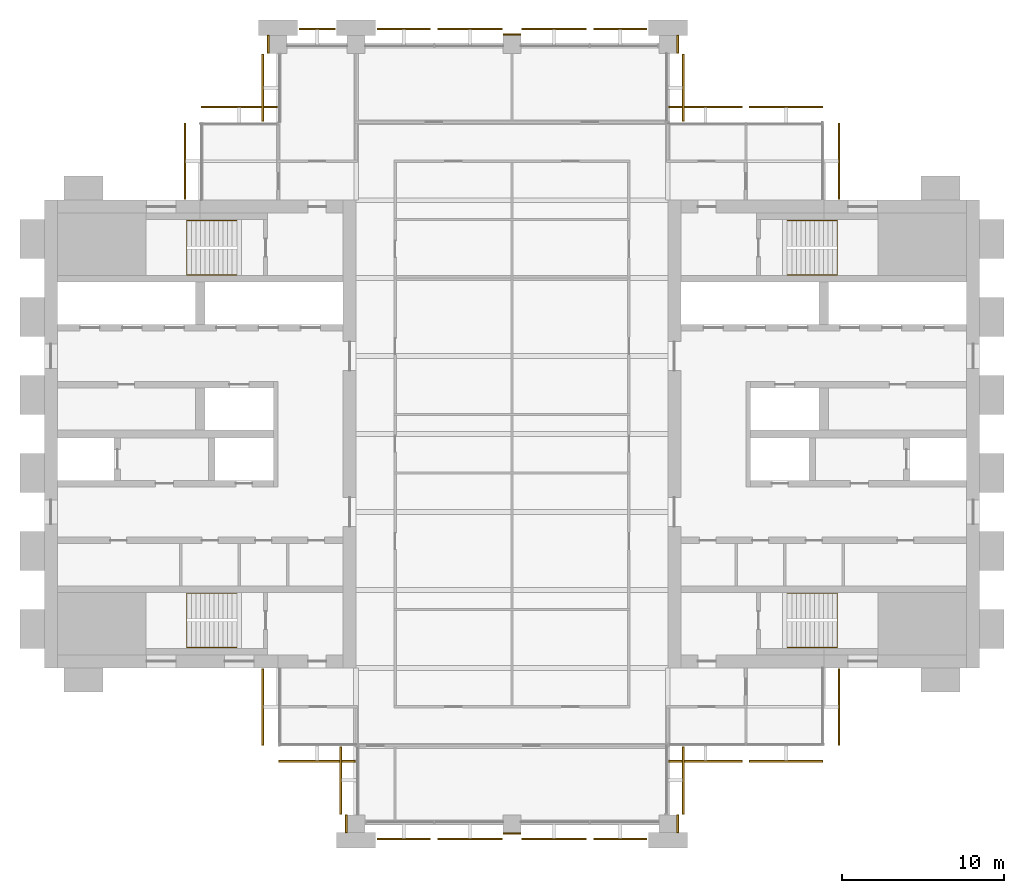
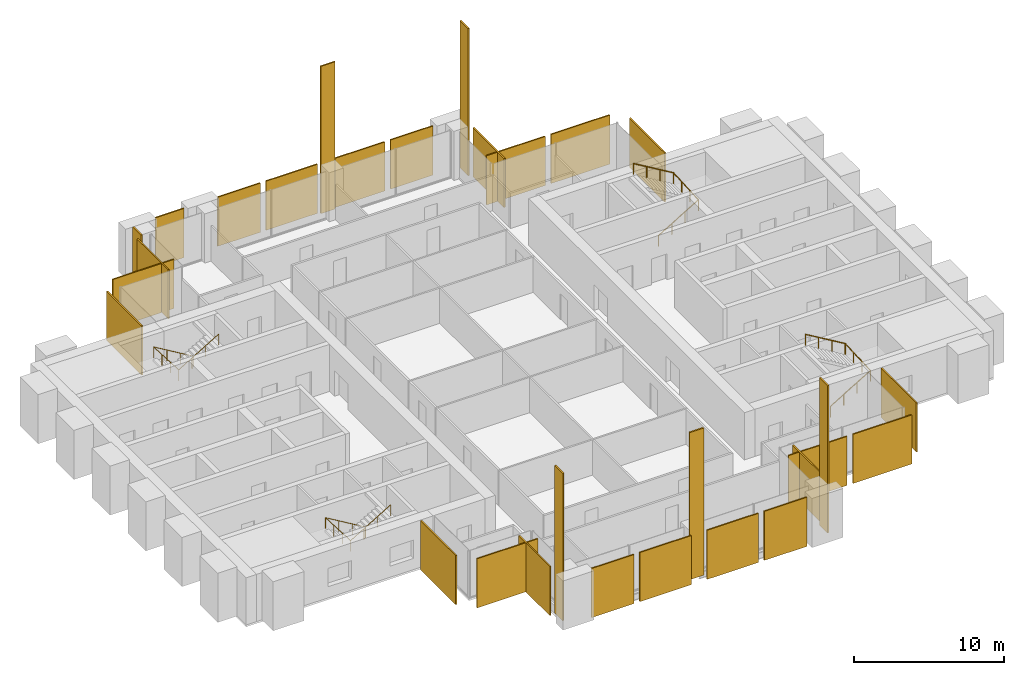
# One storey, part 13 of 13: 29 coverings, 4 railings.
"""IFC4 building model written with IfcOpenShell, lengths in metres."""

from ifc_helpers import new_model, si_unit, direction, frame, origin, origin_2d, place, context, subcontext, project, spatial, polyline, rectangle, circle, outline, extrude, material, layer, layer_set, type_object, element, save


model = new_model("IFC4")

# Units and contexts
model_context = context("Model", 3, precision=1e-05, world=origin(), true_north=direction((0.0, 1.0)))
body_context = subcontext(model_context, "Body", "Model", "MODEL_VIEW")
ifc_project = project(units=[si_unit("LENGTHUNIT", "METRE"), si_unit("AREAUNIT", "SQUARE_METRE"), si_unit("VOLUMEUNIT", "CUBIC_METRE"), si_unit("PLANEANGLEUNIT", "RADIAN"), si_unit("MASSUNIT", "GRAM", prefix="KILO")], contexts=[model_context])

# Site, building, storey
site_placement = place(None, origin())
site = spatial("IfcSite", under=ifc_project, at=site_placement, CompositionType="ELEMENT")
building_placement = place(site_placement, origin())
building = spatial("IfcBuilding", under=site, at=building_placement, Name="Baori Bourse Tower", CompositionType="ELEMENT")
storey_placement = place(building_placement, frame((0.0, 0.0, 225.199951171875)))
storey = spatial("IfcBuildingStorey", under=building, at=storey_placement, Name="L49", CompositionType="ELEMENT", Elevation=225.199951171875)

# Railings
ifc_material_1 = material(Name="Powder-coated steel balustrade", Category="steel")
railing_type = type_object("IfcRailingType", Name="Core stair handrail", PredefinedType="HANDRAIL", material=ifc_material_1)
railing_1_placement = place(storey_placement, frame((11.85009765625, 14.199951171875, 0.166748046875)))
element("IfcRailing", 1, at=railing_1_placement, inside=storey, type_object=railing_type, Name="L49 ST1 stair handrail 1", PredefinedType="HANDRAIL", context=body_context, shape_type="SweptSolid", body=[
    extrude(circle(Radius=0.02392578125, at=origin_2d()), frame((0.0, 0.0, 0.8759765625), z_axis=(-0.859308565015, 0.0, 0.511457515432), x_axis=(0.0, -1.0, 0.0)), (0.0, 0.0, 1.0), 3.58447265625),
    extrude(circle(Radius=0.02392578125, at=origin_2d()), frame((-3.080078125, 0.0, 2.708984375), z_axis=(0.0, -0.998763387249, 0.04971615724), x_axis=(1.0, 0.0, 0.0)), (0.0, 0.0, 1.0), 3.35400390625),
    extrude(circle(Radius=0.02392578125, at=origin_2d()), frame((-3.080078125, -3.349853515625, 2.8759765625), z_axis=(0.859308565015, 0.0, 0.511457515432), x_axis=(0.0, 1.0, 0.0)), (0.0, 0.0, 1.0), 3.58447265625),
    extrude(circle(Radius=0.02099609375, at=origin_2d()), origin(), (0.0, 0.0, 1.0), 0.851806640625),
    extrude(circle(Radius=0.02099609375, at=origin_2d()), frame((-1.026611328125, 0.0, 0.611083984375)), (0.0, 0.0, 1.0), 0.851806640625),
    extrude(circle(Radius=0.02099609375, at=origin_2d()), frame((-2.053466796875, 0.0, 1.22216796875)), (0.0, 0.0, 1.0), 0.851806640625),
    extrude(circle(Radius=0.02099609375, at=origin_2d()), frame((-3.080078125, 0.0, 1.833251953125)), (0.0, 0.0, 1.0), 0.851806640625),
    extrude(circle(Radius=0.02099609375, at=origin_2d()), frame((-3.080078125, -1.11669921875, 1.888916015625)), (0.0, 0.0, 1.0), 0.851806640625),
    extrude(circle(Radius=0.02099609375, at=origin_2d()), frame((-3.080078125, -2.233154296875, 1.9443359375)), (0.0, 0.0, 1.0), 0.851806640625),
    extrude(circle(Radius=0.02099609375, at=origin_2d()), frame((-3.080078125, -3.349853515625, 2.0)), (0.0, 0.0, 1.0), 0.851806640625),
    extrude(circle(Radius=0.02099609375, at=origin_2d()), frame((-2.053466796875, -3.349853515625, 2.611083984375)), (0.0, 0.0, 1.0), 0.851806640625),
    extrude(circle(Radius=0.02099609375, at=origin_2d()), frame((-1.026611328125, -3.349853515625, 3.22216796875)), (0.0, 0.0, 1.0), 0.851806640625),
    extrude(circle(Radius=0.02099609375, at=origin_2d()), frame((0.0, -3.349853515625, 3.833251953125)), (0.0, 0.0, 1.0), 0.851806640625),
])
railing_2_placement = place(storey_placement, frame((11.85009765625, 37.14990234375, 0.166748046875)))
element("IfcRailing", 2, at=railing_2_placement, inside=storey, type_object=railing_type, Name="L49 ST2 stair handrail 1", PredefinedType="HANDRAIL", context=body_context, shape_type="SweptSolid", body=[
    extrude(circle(Radius=0.02392578125, at=origin_2d()), frame((0.0, 0.0, 0.8759765625), z_axis=(-0.859308565015, 0.0, 0.511457515432), x_axis=(0.0, -1.0, 0.0)), (0.0, 0.0, 1.0), 3.58447265625),
    extrude(circle(Radius=0.02392578125, at=origin_2d()), frame((-3.080078125, 0.0, 2.708984375), z_axis=(0.0, -0.998763387249, 0.04971615724), x_axis=(1.0, 0.0, 0.0)), (0.0, 0.0, 1.0), 3.35400390625),
    extrude(circle(Radius=0.02392578125, at=origin_2d()), frame((-3.080078125, -3.349853515625, 2.8759765625), z_axis=(0.859308565015, 0.0, 0.511457515432), x_axis=(0.0, 1.0, 0.0)), (0.0, 0.0, 1.0), 3.58447265625),
    extrude(circle(Radius=0.02099609375, at=origin_2d()), origin(), (0.0, 0.0, 1.0), 0.851806640625),
    extrude(circle(Radius=0.02099609375, at=origin_2d()), frame((-1.026611328125, 0.0, 0.611083984375)), (0.0, 0.0, 1.0), 0.851806640625),
    extrude(circle(Radius=0.02099609375, at=origin_2d()), frame((-2.053466796875, 0.0, 1.22216796875)), (0.0, 0.0, 1.0), 0.851806640625),
    extrude(circle(Radius=0.02099609375, at=origin_2d()), frame((-3.080078125, 0.0, 1.833251953125)), (0.0, 0.0, 1.0), 0.851806640625),
    extrude(circle(Radius=0.02099609375, at=origin_2d()), frame((-3.080078125, -1.11669921875, 1.888916015625)), (0.0, 0.0, 1.0), 0.851806640625),
    extrude(circle(Radius=0.02099609375, at=origin_2d()), frame((-3.080078125, -2.233154296875, 1.9443359375)), (0.0, 0.0, 1.0), 0.851806640625),
    extrude(circle(Radius=0.02099609375, at=origin_2d()), frame((-3.080078125, -3.349853515625, 2.0)), (0.0, 0.0, 1.0), 0.851806640625),
    extrude(circle(Radius=0.02099609375, at=origin_2d()), frame((-2.053466796875, -3.349853515625, 2.611083984375)), (0.0, 0.0, 1.0), 0.851806640625),
    extrude(circle(Radius=0.02099609375, at=origin_2d()), frame((-1.026611328125, -3.349853515625, 3.22216796875)), (0.0, 0.0, 1.0), 0.851806640625),
    extrude(circle(Radius=0.02099609375, at=origin_2d()), frame((0.0, -3.349853515625, 3.833251953125)), (0.0, 0.0, 1.0), 0.851806640625),
])
railing_3_placement = place(storey_placement, frame((45.75, 10.85009765625, 0.166748046875)))
element("IfcRailing", 3, at=railing_3_placement, inside=storey, type_object=railing_type, Name="L49 ST3 stair handrail 1", PredefinedType="HANDRAIL", context=body_context, shape_type="SweptSolid", body=[
    extrude(circle(Radius=0.02392578125, at=origin_2d()), frame((0.0, 0.0, 0.8759765625), z_axis=(0.859308565015, 0.0, 0.511457515432), x_axis=(0.0, 1.0, 0.0)), (0.0, 0.0, 1.0), 3.58447265625),
    extrude(circle(Radius=0.02392578125, at=origin_2d()), frame((3.080078125, 0.0, 2.708984375), z_axis=(0.0, 0.998763387249, 0.04971615724), x_axis=(-1.0, 0.0, 0.0)), (0.0, 0.0, 1.0), 3.35400390625),
    extrude(circle(Radius=0.02392578125, at=origin_2d()), frame((3.080078125, 3.349853515625, 2.8759765625), z_axis=(-0.859308565015, 0.0, 0.511457515432), x_axis=(0.0, -1.0, 0.0)), (0.0, 0.0, 1.0), 3.58447265625),
    extrude(circle(Radius=0.02099609375, at=origin_2d()), origin(), (0.0, 0.0, 1.0), 0.851806640625),
    extrude(circle(Radius=0.02099609375, at=origin_2d()), frame((1.026611328125, 0.0, 0.611083984375)), (0.0, 0.0, 1.0), 0.851806640625),
    extrude(circle(Radius=0.02099609375, at=origin_2d()), frame((2.053466796875, 0.0, 1.22216796875)), (0.0, 0.0, 1.0), 0.851806640625),
    extrude(circle(Radius=0.02099609375, at=origin_2d()), frame((3.080078125, 0.0, 1.833251953125)), (0.0, 0.0, 1.0), 0.851806640625),
    extrude(circle(Radius=0.02099609375, at=origin_2d()), frame((3.080078125, 1.11669921875, 1.888916015625)), (0.0, 0.0, 1.0), 0.851806640625),
    extrude(circle(Radius=0.02099609375, at=origin_2d()), frame((3.080078125, 2.233154296875, 1.9443359375)), (0.0, 0.0, 1.0), 0.851806640625),
    extrude(circle(Radius=0.02099609375, at=origin_2d()), frame((3.080078125, 3.349853515625, 2.0)), (0.0, 0.0, 1.0), 0.851806640625),
    extrude(circle(Radius=0.02099609375, at=origin_2d()), frame((2.053466796875, 3.349853515625, 2.611083984375)), (0.0, 0.0, 1.0), 0.851806640625),
    extrude(circle(Radius=0.02099609375, at=origin_2d()), frame((1.026611328125, 3.349853515625, 3.22216796875)), (0.0, 0.0, 1.0), 0.851806640625),
    extrude(circle(Radius=0.02099609375, at=origin_2d()), frame((0.0, 3.349853515625, 3.833251953125)), (0.0, 0.0, 1.0), 0.851806640625),
])
railing_4_placement = place(storey_placement, frame((45.75, 33.800048828125, 0.166748046875)))
element("IfcRailing", 4, at=railing_4_placement, inside=storey, type_object=railing_type, Name="L49 ST4 stair handrail 1", PredefinedType="HANDRAIL", context=body_context, shape_type="SweptSolid", body=[
    extrude(circle(Radius=0.02392578125, at=origin_2d()), frame((0.0, 0.0, 0.8759765625), z_axis=(0.859308565015, 0.0, 0.511457515432), x_axis=(0.0, 1.0, 0.0)), (0.0, 0.0, 1.0), 3.58447265625),
    extrude(circle(Radius=0.02392578125, at=origin_2d()), frame((3.080078125, 0.0, 2.708984375), z_axis=(0.0, 0.998763387249, 0.04971615724), x_axis=(-1.0, 0.0, 0.0)), (0.0, 0.0, 1.0), 3.35400390625),
    extrude(circle(Radius=0.02392578125, at=origin_2d()), frame((3.080078125, 3.349853515625, 2.8759765625), z_axis=(-0.859308565015, 0.0, 0.511457515432), x_axis=(0.0, -1.0, 0.0)), (0.0, 0.0, 1.0), 3.58447265625),
    extrude(circle(Radius=0.02099609375, at=origin_2d()), origin(), (0.0, 0.0, 1.0), 0.851806640625),
    extrude(circle(Radius=0.02099609375, at=origin_2d()), frame((1.026611328125, 0.0, 0.611083984375)), (0.0, 0.0, 1.0), 0.851806640625),
    extrude(circle(Radius=0.02099609375, at=origin_2d()), frame((2.053466796875, 0.0, 1.22216796875)), (0.0, 0.0, 1.0), 0.851806640625),
    extrude(circle(Radius=0.02099609375, at=origin_2d()), frame((3.080078125, 0.0, 1.833251953125)), (0.0, 0.0, 1.0), 0.851806640625),
    extrude(circle(Radius=0.02099609375, at=origin_2d()), frame((3.080078125, 1.11669921875, 1.888916015625)), (0.0, 0.0, 1.0), 0.851806640625),
    extrude(circle(Radius=0.02099609375, at=origin_2d()), frame((3.080078125, 2.233154296875, 1.9443359375)), (0.0, 0.0, 1.0), 0.851806640625),
    extrude(circle(Radius=0.02099609375, at=origin_2d()), frame((3.080078125, 3.349853515625, 2.0)), (0.0, 0.0, 1.0), 0.851806640625),
    extrude(circle(Radius=0.02099609375, at=origin_2d()), frame((2.053466796875, 3.349853515625, 2.611083984375)), (0.0, 0.0, 1.0), 0.851806640625),
    extrude(circle(Radius=0.02099609375, at=origin_2d()), frame((1.026611328125, 3.349853515625, 3.22216796875)), (0.0, 0.0, 1.0), 0.851806640625),
    extrude(circle(Radius=0.02099609375, at=origin_2d()), frame((0.0, 3.349853515625, 3.833251953125)), (0.0, 0.0, 1.0), 0.851806640625),
])

# Coverings
ifc_material_2 = material(Name="Pale anodised aluminium", Category="aluminium")
ifc_layer_1 = layer(ifc_material_2, 0.10009765625)
ifc_layer_set_1 = layer_set([ifc_layer_1], Name="OS3 Outer skin screen panel")
covering_type_1 = type_object("IfcCoveringType", Name="OS3 Outer skin screen panel", PredefinedType="CLADDING", material=ifc_layer_set_1)
covering_1_placement = place(storey_placement, frame((0.0, 0.0, -0.159912109375)))
element("IfcCovering", 5, at=covering_1_placement, inside=storey, type_object=covering_type_1, Name="Outer skin screen L49 1", PredefinedType="CLADDING", context=body_context, shape_type="SweptSolid", body=[
    extrude(outline(polyline([(48.89990234375, 43.14990234375), (48.89990234375, 38.449951171875), (49.0, 38.449951171875), (49.0, 43.14990234375), (48.89990234375, 43.14990234375)])), origin(), (0.0, 0.0, 1.0), 4.0),
])
covering_2_placement = place(storey_placement, frame((0.0, 0.0, -0.159912109375)))
element("IfcCovering", 6, at=covering_2_placement, inside=storey, type_object=covering_type_1, Name="Outer skin screen L49 2", PredefinedType="CLADDING", context=body_context, shape_type="SweptSolid", body=[
    extrude(outline(polyline([(43.425048828125, 44.10009765625), (47.949951171875, 44.10009765625), (47.949951171875, 44.199951171875), (43.425048828125, 44.199951171875), (43.425048828125, 44.10009765625)])), origin(), (0.0, 0.0, 1.0), 4.0),
])
covering_3_placement = place(storey_placement, frame((0.0, 0.0, -0.159912109375)))
element("IfcCovering", 7, at=covering_3_placement, inside=storey, type_object=covering_type_1, Name="Outer skin screen L49 3", PredefinedType="CLADDING", context=body_context, shape_type="SweptSolid", body=[
    extrude(outline(polyline([(38.449951171875, 44.10009765625), (42.97509765625, 44.10009765625), (42.97509765625, 44.199951171875), (38.449951171875, 44.199951171875), (38.449951171875, 44.10009765625)])), origin(), (0.0, 0.0, 1.0), 4.0),
])
covering_4_placement = place(storey_placement, frame((0.0, 0.0, -0.159912109375)))
element("IfcCovering", 8, at=covering_4_placement, inside=storey, type_object=covering_type_1, Name="Outer skin screen L49 4", PredefinedType="CLADDING", context=body_context, shape_type="SweptSolid", body=[
    extrude(outline(polyline([(39.300048828125, 47.39990234375), (39.300048828125, 43.25), (39.39990234375, 43.25), (39.39990234375, 47.39990234375), (39.300048828125, 47.39990234375)])), origin(), (0.0, 0.0, 1.0), 4.0),
])
covering_5_placement = place(storey_placement, frame((0.0, 0.0, -0.159912109375)))
element("IfcCovering", 9, at=covering_5_placement, inside=storey, type_object=covering_type_1, Name="Outer skin screen L49 5", PredefinedType="CLADDING", context=body_context, shape_type="SweptSolid", body=[
    extrude(outline(polyline([(33.824951171875, 48.89990234375), (37.10009765625, 48.89990234375), (37.10009765625, 49.0), (33.824951171875, 49.0), (33.824951171875, 48.89990234375)])), origin(), (0.0, 0.0, 1.0), 4.0),
])
covering_6_placement = place(storey_placement, frame((0.0, 0.0, -0.159912109375)))
element("IfcCovering", 10, at=covering_6_placement, inside=storey, type_object=covering_type_1, Name="Outer skin screen L49 6", PredefinedType="CLADDING", context=body_context, shape_type="SweptSolid", body=[
    extrude(outline(polyline([(29.39990234375, 48.89990234375), (33.375, 48.89990234375), (33.375, 49.0), (29.39990234375, 49.0), (29.39990234375, 48.89990234375)])), origin(), (0.0, 0.0, 1.0), 4.0),
])
covering_7_placement = place(storey_placement, frame((0.0, 0.0, -0.159912109375)))
element("IfcCovering", 11, at=covering_7_placement, inside=storey, type_object=covering_type_1, Name="Outer skin screen L49 7", PredefinedType="CLADDING", context=body_context, shape_type="SweptSolid", body=[
    extrude(outline(polyline([(24.22509765625, 48.89990234375), (28.199951171875, 48.89990234375), (28.199951171875, 49.0), (24.22509765625, 49.0), (24.22509765625, 48.89990234375)])), origin(), (0.0, 0.0, 1.0), 4.0),
])
covering_8_placement = place(storey_placement, frame((0.0, 0.0, -0.159912109375)))
element("IfcCovering", 12, at=covering_8_placement, inside=storey, type_object=covering_type_1, Name="Outer skin screen L49 8", PredefinedType="CLADDING", context=body_context, shape_type="SweptSolid", body=[
    extrude(outline(polyline([(20.5, 48.89990234375), (23.77490234375, 48.89990234375), (23.77490234375, 49.0), (20.5, 49.0), (20.5, 48.89990234375)])), origin(), (0.0, 0.0, 1.0), 4.0),
])
covering_9_placement = place(storey_placement, frame((0.0, 0.0, -0.159912109375)))
element("IfcCovering", 13, at=covering_9_placement, inside=storey, type_object=covering_type_1, Name="Outer skin screen L49 9", PredefinedType="CLADDING", context=body_context, shape_type="SweptSolid", body=[
    extrude(outline(polyline([(15.699951171875, 48.89990234375), (17.89990234375, 48.89990234375), (17.89990234375, 49.0), (15.699951171875, 49.0), (15.699951171875, 48.89990234375)])), origin(), (0.0, 0.0, 1.0), 4.0),
])
covering_10_placement = place(storey_placement, frame((0.0, 0.0, -0.159912109375)))
element("IfcCovering", 14, at=covering_10_placement, inside=storey, type_object=covering_type_1, Name="Outer skin screen L49 10", PredefinedType="CLADDING", context=body_context, shape_type="SweptSolid", body=[
    extrude(outline(polyline([(13.5, 43.25), (13.5, 47.39990234375), (13.39990234375, 47.39990234375), (13.39990234375, 43.25), (13.5, 43.25)])), origin(), (0.0, 0.0, 1.0), 4.0),
])
covering_11_placement = place(storey_placement, frame((0.0, 0.0, -0.159912109375)))
element("IfcCovering", 15, at=covering_11_placement, inside=storey, type_object=covering_type_1, Name="Outer skin screen L49 11", PredefinedType="CLADDING", context=body_context, shape_type="SweptSolid", body=[
    extrude(outline(polyline([(9.64990234375, 44.10009765625), (14.35009765625, 44.10009765625), (14.35009765625, 44.199951171875), (9.64990234375, 44.199951171875), (9.64990234375, 44.10009765625)])), origin(), (0.0, 0.0, 1.0), 4.0),
])
covering_12_placement = place(storey_placement, frame((0.0, 0.0, -0.159912109375)))
element("IfcCovering", 16, at=covering_12_placement, inside=storey, type_object=covering_type_1, Name="Outer skin screen L49 12", PredefinedType="CLADDING", context=body_context, shape_type="SweptSolid", body=[
    extrude(outline(polyline([(8.699951171875, 38.449951171875), (8.699951171875, 43.14990234375), (8.60009765625, 43.14990234375), (8.60009765625, 38.449951171875), (8.699951171875, 38.449951171875)])), origin(), (0.0, 0.0, 1.0), 4.0),
])
covering_13_placement = place(storey_placement, frame((0.0, 0.0, -0.159912109375)))
element("IfcCovering", 17, at=covering_13_placement, inside=storey, type_object=covering_type_1, Name="Outer skin screen L49 13", PredefinedType="CLADDING", context=body_context, shape_type="SweptSolid", body=[
    extrude(outline(polyline([(13.5, 4.85009765625), (13.5, 9.550048828125), (13.39990234375, 9.550048828125), (13.39990234375, 4.85009765625), (13.5, 4.85009765625)])), origin(), (0.0, 0.0, 1.0), 4.0),
])
covering_14_placement = place(storey_placement, frame((0.0, 0.0, -0.159912109375)))
element("IfcCovering", 18, at=covering_14_placement, inside=storey, type_object=covering_type_1, Name="Outer skin screen L49 14", PredefinedType="CLADDING", context=body_context, shape_type="SweptSolid", body=[
    extrude(outline(polyline([(19.14990234375, 3.89990234375), (14.449951171875, 3.89990234375), (14.449951171875, 3.800048828125), (19.14990234375, 3.800048828125), (19.14990234375, 3.89990234375)])), origin(), (0.0, 0.0, 1.0), 4.0),
])
covering_15_placement = place(storey_placement, frame((0.0, 0.0, -0.159912109375)))
element("IfcCovering", 19, at=covering_15_placement, inside=storey, type_object=covering_type_1, Name="Outer skin screen L49 15", PredefinedType="CLADDING", context=body_context, shape_type="SweptSolid", body=[
    extrude(outline(polyline([(18.300048828125, 0.60009765625), (18.300048828125, 4.75), (18.199951171875, 4.75), (18.199951171875, 0.60009765625), (18.300048828125, 0.60009765625)])), origin(), (0.0, 0.0, 1.0), 4.0),
])
covering_16_placement = place(storey_placement, frame((0.0, 0.0, -0.159912109375)))
element("IfcCovering", 20, at=covering_16_placement, inside=storey, type_object=covering_type_1, Name="Outer skin screen L49 16", PredefinedType="CLADDING", context=body_context, shape_type="SweptSolid", body=[
    extrude(outline(polyline([(23.77490234375, -0.89990234375), (20.5, -0.89990234375), (20.5, -1.0), (23.77490234375, -1.0), (23.77490234375, -0.89990234375)])), origin(), (0.0, 0.0, 1.0), 4.0),
])
covering_17_placement = place(storey_placement, frame((0.0, 0.0, -0.159912109375)))
element("IfcCovering", 21, at=covering_17_placement, inside=storey, type_object=covering_type_1, Name="Outer skin screen L49 17", PredefinedType="CLADDING", context=body_context, shape_type="SweptSolid", body=[
    extrude(outline(polyline([(28.199951171875, -0.89990234375), (24.22509765625, -0.89990234375), (24.22509765625, -1.0), (28.199951171875, -1.0), (28.199951171875, -0.89990234375)])), origin(), (0.0, 0.0, 1.0), 4.0),
])
covering_18_placement = place(storey_placement, frame((0.0, 0.0, -0.159912109375)))
element("IfcCovering", 22, at=covering_18_placement, inside=storey, type_object=covering_type_1, Name="Outer skin screen L49 18", PredefinedType="CLADDING", context=body_context, shape_type="SweptSolid", body=[
    extrude(outline(polyline([(33.375, -0.89990234375), (29.39990234375, -0.89990234375), (29.39990234375, -1.0), (33.375, -1.0), (33.375, -0.89990234375)])), origin(), (0.0, 0.0, 1.0), 4.0),
])
covering_19_placement = place(storey_placement, frame((0.0, 0.0, -0.159912109375)))
element("IfcCovering", 23, at=covering_19_placement, inside=storey, type_object=covering_type_1, Name="Outer skin screen L49 19", PredefinedType="CLADDING", context=body_context, shape_type="SweptSolid", body=[
    extrude(outline(polyline([(37.10009765625, -0.89990234375), (33.824951171875, -0.89990234375), (33.824951171875, -1.0), (37.10009765625, -1.0), (37.10009765625, -0.89990234375)])), origin(), (0.0, 0.0, 1.0), 4.0),
])
covering_20_placement = place(storey_placement, frame((0.0, 0.0, -0.159912109375)))
element("IfcCovering", 24, at=covering_20_placement, inside=storey, type_object=covering_type_1, Name="Outer skin screen L49 20", PredefinedType="CLADDING", context=body_context, shape_type="SweptSolid", body=[
    extrude(outline(polyline([(39.300048828125, 4.75), (39.300048828125, 0.60009765625), (39.39990234375, 0.60009765625), (39.39990234375, 4.75), (39.300048828125, 4.75)])), origin(), (0.0, 0.0, 1.0), 4.0),
])
covering_21_placement = place(storey_placement, frame((0.0, 0.0, -0.159912109375)))
element("IfcCovering", 25, at=covering_21_placement, inside=storey, type_object=covering_type_1, Name="Outer skin screen L49 21", PredefinedType="CLADDING", context=body_context, shape_type="SweptSolid", body=[
    extrude(outline(polyline([(42.97509765625, 3.89990234375), (38.449951171875, 3.89990234375), (38.449951171875, 3.800048828125), (42.97509765625, 3.800048828125), (42.97509765625, 3.89990234375)])), origin(), (0.0, 0.0, 1.0), 4.0),
])
covering_22_placement = place(storey_placement, frame((0.0, 0.0, -0.159912109375)))
element("IfcCovering", 26, at=covering_22_placement, inside=storey, type_object=covering_type_1, Name="Outer skin screen L49 22", PredefinedType="CLADDING", context=body_context, shape_type="SweptSolid", body=[
    extrude(outline(polyline([(47.949951171875, 3.89990234375), (43.425048828125, 3.89990234375), (43.425048828125, 3.800048828125), (47.949951171875, 3.800048828125), (47.949951171875, 3.89990234375)])), origin(), (0.0, 0.0, 1.0), 4.0),
])
covering_23_placement = place(storey_placement, frame((0.0, 0.0, -0.159912109375)))
element("IfcCovering", 27, at=covering_23_placement, inside=storey, type_object=covering_type_1, Name="Outer skin screen L49 23", PredefinedType="CLADDING", context=body_context, shape_type="SweptSolid", body=[
    extrude(outline(polyline([(48.89990234375, 9.550048828125), (48.89990234375, 4.85009765625), (49.0, 4.85009765625), (49.0, 9.550048828125), (48.89990234375, 9.550048828125)])), origin(), (0.0, 0.0, 1.0), 4.0),
])
ifc_material_3 = material(Name="Face brick", Category="masonry")
ifc_layer_2 = layer(ifc_material_3, 0.110107421875)
ifc_layer_set_2 = layer_set([ifc_layer_2], Name="PC1 Brick pier facing")
covering_type_2 = type_object("IfcCoveringType", Name="PC1 Brick pier facing", PredefinedType="CLADDING", material=ifc_layer_set_2)
covering_24_placement = place(storey_placement, frame((18.594970703125, 0.0, 0.0), z_axis=(0.0, 0.0, 1.0), x_axis=(1.0, 0.0, 0.0)))
element("IfcCovering", 28, at=covering_24_placement, inside=storey, type_object=covering_type_2, Name="Brick pier facing L49 1", PredefinedType="CLADDING", context=body_context, shape_type="SweptSolid", body=[
    extrude(rectangle(XDim=0.110107421875, YDim=1.10009765625, at=origin_2d()), origin(), (0.0, 0.0, 1.0), 12.0),
])
covering_25_placement = place(storey_placement, frame((28.800048828125, -0.60498046875, 0.0), z_axis=(0.0, 0.0, 1.0), x_axis=(1.0, 0.0, 0.0)))
element("IfcCovering", 29, at=covering_25_placement, inside=storey, type_object=covering_type_2, Name="Brick pier facing L49 2", PredefinedType="CLADDING", context=body_context, shape_type="SweptSolid", body=[
    extrude(rectangle(XDim=1.10009765625, YDim=0.110107421875, at=origin_2d()), origin(), (0.0, 0.0, 1.0), 12.0),
])
covering_26_placement = place(storey_placement, frame((39.0048828125, 0.0, 0.0), z_axis=(0.0, 0.0, 1.0), x_axis=(1.0, 0.0, 0.0)))
element("IfcCovering", 30, at=covering_26_placement, inside=storey, type_object=covering_type_2, Name="Brick pier facing L49 3", PredefinedType="CLADDING", context=body_context, shape_type="SweptSolid", body=[
    extrude(rectangle(XDim=0.110107421875, YDim=1.10009765625, at=origin_2d()), origin(), (0.0, 0.0, 1.0), 12.0),
])
covering_27_placement = place(storey_placement, frame((13.794921875, 48.0, 0.0), z_axis=(0.0, 0.0, 1.0), x_axis=(1.0, 0.0, 0.0)))
element("IfcCovering", 31, at=covering_27_placement, inside=storey, type_object=covering_type_2, Name="Brick pier facing L49 4", PredefinedType="CLADDING", context=body_context, shape_type="SweptSolid", body=[
    extrude(rectangle(XDim=0.110107421875, YDim=1.10009765625, at=origin_2d()), origin(), (0.0, 0.0, 1.0), 4.0),
])
covering_28_placement = place(storey_placement, frame((28.800048828125, 48.60498046875, 0.0), z_axis=(0.0, 0.0, 1.0), x_axis=(1.0, 0.0, 0.0)))
element("IfcCovering", 32, at=covering_28_placement, inside=storey, type_object=covering_type_2, Name="Brick pier facing L49 5", PredefinedType="CLADDING", context=body_context, shape_type="SweptSolid", body=[
    extrude(rectangle(XDim=1.10009765625, YDim=0.110107421875, at=origin_2d()), origin(), (0.0, 0.0, 1.0), 12.0),
])
covering_29_placement = place(storey_placement, frame((39.0048828125, 48.0, 0.0), z_axis=(0.0, 0.0, 1.0), x_axis=(1.0, 0.0, 0.0)))
element("IfcCovering", 33, at=covering_29_placement, inside=storey, type_object=covering_type_2, Name="Brick pier facing L49 6", PredefinedType="CLADDING", context=body_context, shape_type="SweptSolid", body=[
    extrude(rectangle(XDim=0.110107421875, YDim=1.10009765625, at=origin_2d()), origin(), (0.0, 0.0, 1.0), 12.0),
])

save(model, "model.ifc")
